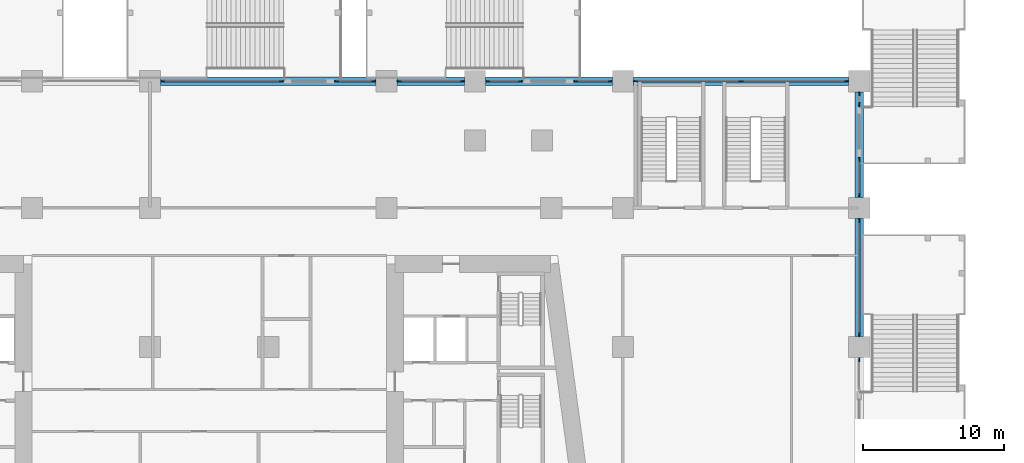
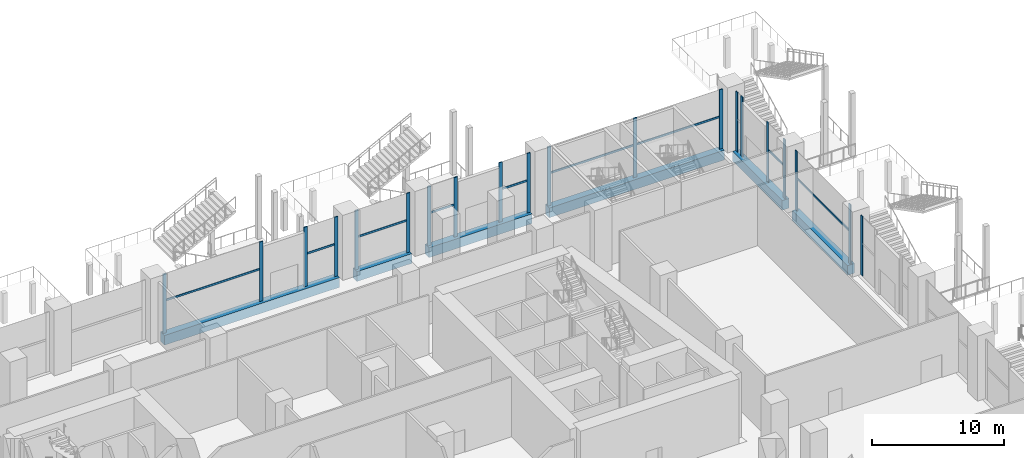
# One storey, part 10 of 47: 29 members, 6 beams, 10 elements without a shape of their own.
"""IFC4 building model written with IfcOpenShell, lengths in metres."""

from ifc_helpers import new_model, si_unit, direction, frame, origin, origin_2d, place, context, subcontext, project, spatial, rectangle, extrude, material, material_profile, profile_set, type_object, element, aggregate, save


model = new_model("IFC4")

# Units and contexts
model_context = context("Model", 3, precision=1e-05, world=origin(), true_north=direction((0.0, 1.0)))
body_context = subcontext(model_context, "Body", "Model", "MODEL_VIEW")
ifc_project = project(units=[si_unit("LENGTHUNIT", "METRE"), si_unit("AREAUNIT", "SQUARE_METRE"), si_unit("VOLUMEUNIT", "CUBIC_METRE"), si_unit("PLANEANGLEUNIT", "RADIAN"), si_unit("MASSUNIT", "GRAM", prefix="KILO")], contexts=[model_context])

# Site, building, storey
site_placement = place(None, origin())
site = spatial("IfcSite", under=ifc_project, at=site_placement, CompositionType="ELEMENT")
building_placement = place(site_placement, origin())
building = spatial("IfcBuilding", under=site, at=building_placement, Name="Candeia Pilgrim Tower and Theatre", CompositionType="ELEMENT")
storey_placement = place(building_placement, frame((0.0, 0.0, 23.0)))
storey = spatial("IfcBuildingStorey", under=building, at=storey_placement, Name="L03", CompositionType="ELEMENT", Elevation=23.0)

# Curtain wall, members
ifc_material_1 = material(Name="Aluminium framed podium glazing", Category="aluminium")
curtain_wall_type = type_object("IfcCurtainWallType", Name="CW-P curtain wall", PredefinedType="NOTDEFINED", material=ifc_material_1)
curtain_wall_1_placement = place(storey_placement, origin())
curtain_wall_1 = element("IfcCurtainWall", 1, at=curtain_wall_1_placement, inside=storey, type_object=curtain_wall_type, Name="Curtain wall CW-P L03.140", PredefinedType="NOTDEFINED")
ifc_material_2 = material(Name="Anodised aluminium", Category="aluminium")
ifc_material_profile_1 = material_profile(ifc_material_2, rectangle(XDim=0.080078125, YDim=0.300048828125, at=origin_2d()))
ifc_profile_set_1 = profile_set([ifc_material_profile_1], Name="Anodised aluminium")
member_type_1 = type_object("IfcMemberType", Name="CW-P mullion 80x300", PredefinedType="MULLION", material=ifc_profile_set_1)
member_1_placement = place(storey_placement, frame((110.10009765625, 144.800048828125, 0.0), z_axis=(0.0, 0.0, 1.0), x_axis=(0.0, 1.0, 0.0)))
member_1 = element("IfcMember", 2, at=member_1_placement, type_object=member_type_1, Name="CW-P mullion 1", PredefinedType="MULLION", context=body_context, shape_type="SweptSolid", body=[
    extrude(rectangle(XDim=0.080078125, YDim=0.300048828125, at=origin_2d()), origin(), (0.0, 0.0, 1.0), 5.5),
])
member_2_placement = place(storey_placement, frame((118.550048828125, 144.800048828125, 0.0), z_axis=(0.0, 0.0, 1.0), x_axis=(0.0, 1.0, 0.0)))
member_2 = element("IfcMember", 3, at=member_2_placement, type_object=member_type_1, Name="CW-P mullion 2", PredefinedType="MULLION", context=body_context, shape_type="SweptSolid", body=[
    extrude(rectangle(XDim=0.080078125, YDim=0.300048828125, at=origin_2d()), origin(), (0.0, 0.0, 1.0), 5.5),
])

curtain_wall_2_placement = place(storey_placement, origin())
curtain_wall_2 = element("IfcCurtainWall", 4, at=curtain_wall_2_placement, inside=storey, type_object=curtain_wall_type, Name="Curtain wall CW-P L03.141", PredefinedType="NOTDEFINED")
member_3_placement = place(storey_placement, frame((122.449951171875, 144.800048828125, 0.0), z_axis=(0.0, 0.0, 1.0), x_axis=(0.0, 1.0, 0.0)))
member_3 = element("IfcMember", 5, at=member_3_placement, type_object=member_type_1, Name="CW-P mullion 1", PredefinedType="MULLION", context=body_context, shape_type="SweptSolid", body=[
    extrude(rectangle(XDim=0.080078125, YDim=0.300048828125, at=origin_2d()), origin(), (0.0, 0.0, 1.0), 5.5),
])
member_4_placement = place(storey_placement, frame((125.10009765625, 144.800048828125, 0.0), z_axis=(0.0, 0.0, 1.0), x_axis=(0.0, 1.0, 0.0)))
member_4 = element("IfcMember", 6, at=member_4_placement, type_object=member_type_1, Name="CW-P mullion 2", PredefinedType="MULLION", context=body_context, shape_type="SweptSolid", body=[
    extrude(rectangle(XDim=0.080078125, YDim=0.300048828125, at=origin_2d()), origin(), (0.0, 0.0, 1.0), 5.5),
])

curtain_wall_3_placement = place(storey_placement, origin())
curtain_wall_3 = element("IfcCurtainWall", 7, at=curtain_wall_3_placement, inside=storey, type_object=curtain_wall_type, Name="Curtain wall CW-P L03.150", PredefinedType="NOTDEFINED")
member_5_placement = place(storey_placement, frame((126.89990234375, 144.800048828125, 0.0), z_axis=(0.0, 0.0, 1.0), x_axis=(0.0, 1.0, 0.0)))
member_5 = element("IfcMember", 8, at=member_5_placement, type_object=member_type_1, Name="CW-P mullion 1", PredefinedType="MULLION", context=body_context, shape_type="SweptSolid", body=[
    extrude(rectangle(XDim=0.080078125, YDim=0.300048828125, at=origin_2d()), origin(), (0.0, 0.0, 1.0), 5.5),
])
member_6_placement = place(storey_placement, frame((131.39990234375, 144.800048828125, 0.0), z_axis=(0.0, 0.0, 1.0), x_axis=(0.0, 1.0, 0.0)))
member_6 = element("IfcMember", 9, at=member_6_placement, type_object=member_type_1, Name="CW-P mullion 2", PredefinedType="MULLION", context=body_context, shape_type="SweptSolid", body=[
    extrude(rectangle(XDim=0.080078125, YDim=0.300048828125, at=origin_2d()), origin(), (0.0, 0.0, 1.0), 5.5),
])

curtain_wall_4_placement = place(storey_placement, origin())
curtain_wall_4 = element("IfcCurtainWall", 10, at=curtain_wall_4_placement, inside=storey, type_object=curtain_wall_type, Name="Curtain wall CW-P L03.160", PredefinedType="NOTDEFINED")
member_7_placement = place(storey_placement, frame((133.199951171875, 144.800048828125, 0.0), z_axis=(0.0, 0.0, 1.0), x_axis=(0.0, 1.0, 0.0)))
member_7 = element("IfcMember", 11, at=member_7_placement, type_object=member_type_1, Name="CW-P mullion 1", PredefinedType="MULLION", context=body_context, shape_type="SweptSolid", body=[
    extrude(rectangle(XDim=0.080078125, YDim=0.300048828125, at=origin_2d()), origin(), (0.0, 0.0, 1.0), 5.5),
])
member_8_placement = place(storey_placement, frame((135.550048828125, 144.800048828125, 0.0), z_axis=(0.0, 0.0, 1.0), x_axis=(0.0, 1.0, 0.0)))
member_8 = element("IfcMember", 12, at=member_8_placement, type_object=member_type_1, Name="CW-P mullion 2", PredefinedType="MULLION", context=body_context, shape_type="SweptSolid", body=[
    extrude(rectangle(XDim=0.080078125, YDim=0.300048828125, at=origin_2d()), origin(), (0.0, 0.0, 1.0), 5.5),
])

curtain_wall_5_placement = place(storey_placement, origin())
curtain_wall_5 = element("IfcCurtainWall", 13, at=curtain_wall_5_placement, inside=storey, type_object=curtain_wall_type, Name="Curtain wall CW-P L03.161", PredefinedType="NOTDEFINED")
member_9_placement = place(storey_placement, frame((139.449951171875, 144.800048828125, 0.0), z_axis=(0.0, 0.0, 1.0), x_axis=(0.0, 1.0, 0.0)))
member_9 = element("IfcMember", 14, at=member_9_placement, type_object=member_type_1, Name="CW-P mullion 1", PredefinedType="MULLION", context=body_context, shape_type="SweptSolid", body=[
    extrude(rectangle(XDim=0.080078125, YDim=0.300048828125, at=origin_2d()), origin(), (0.0, 0.0, 1.0), 5.5),
])
member_10_placement = place(storey_placement, frame((141.89990234375, 144.800048828125, 0.0), z_axis=(0.0, 0.0, 1.0), x_axis=(0.0, 1.0, 0.0)))
member_10 = element("IfcMember", 15, at=member_10_placement, type_object=member_type_1, Name="CW-P mullion 2", PredefinedType="MULLION", context=body_context, shape_type="SweptSolid", body=[
    extrude(rectangle(XDim=0.080078125, YDim=0.300048828125, at=origin_2d()), origin(), (0.0, 0.0, 1.0), 5.5),
])

curtain_wall_6_placement = place(storey_placement, origin())
curtain_wall_6 = element("IfcCurtainWall", 16, at=curtain_wall_6_placement, inside=storey, type_object=curtain_wall_type, Name="Curtain wall CW-P L03.170", PredefinedType="NOTDEFINED")
member_11_placement = place(storey_placement, frame((143.699951171875, 144.800048828125, 0.0), z_axis=(0.0, 0.0, 1.0), x_axis=(0.0, 1.0, 0.0)))
member_11 = element("IfcMember", 17, at=member_11_placement, type_object=member_type_1, Name="CW-P mullion 1", PredefinedType="MULLION", context=body_context, shape_type="SweptSolid", body=[
    extrude(rectangle(XDim=0.080078125, YDim=0.300048828125, at=origin_2d()), origin(), (0.0, 0.0, 1.0), 5.5),
])
member_12_placement = place(storey_placement, frame((151.199951171875, 144.800048828125, 0.0), z_axis=(0.0, 0.0, 1.0), x_axis=(0.0, 1.0, 0.0)))
member_12 = element("IfcMember", 18, at=member_12_placement, type_object=member_type_1, Name="CW-P mullion 2", PredefinedType="MULLION", context=body_context, shape_type="SweptSolid", body=[
    extrude(rectangle(XDim=0.080078125, YDim=0.300048828125, at=origin_2d()), origin(), (0.0, 0.0, 1.0), 5.5),
])
member_13_placement = place(storey_placement, frame((158.699951171875, 144.800048828125, 0.0), z_axis=(0.0, 0.0, 1.0), x_axis=(0.0, 1.0, 0.0)))
member_13 = element("IfcMember", 19, at=member_13_placement, type_object=member_type_1, Name="CW-P mullion 3", PredefinedType="MULLION", context=body_context, shape_type="SweptSolid", body=[
    extrude(rectangle(XDim=0.080078125, YDim=0.300048828125, at=origin_2d()), origin(), (0.0, 0.0, 1.0), 5.5),
])

curtain_wall_7_placement = place(storey_placement, origin())
curtain_wall_7 = element("IfcCurtainWall", 20, at=curtain_wall_7_placement, inside=storey, type_object=curtain_wall_type, Name="Curtain wall CW-P L03.200", PredefinedType="NOTDEFINED")
member_14_placement = place(storey_placement, frame((159.60009765625, 143.89990234375, 0.0), z_axis=(0.0, 0.0, 1.0), x_axis=(1.0, 0.0, 0.0)))
member_14 = element("IfcMember", 21, at=member_14_placement, type_object=member_type_1, Name="CW-P mullion 1", PredefinedType="MULLION", context=body_context, shape_type="SweptSolid", body=[
    extrude(rectangle(XDim=0.080078125, YDim=0.300048828125, at=origin_2d()), origin(), (0.0, 0.0, 1.0), 5.5),
])
member_15_placement = place(storey_placement, frame((159.60009765625, 143.14990234375, 0.0), z_axis=(0.0, 0.0, 1.0), x_axis=(1.0, 0.0, 0.0)))
member_15 = element("IfcMember", 22, at=member_15_placement, type_object=member_type_1, Name="CW-P mullion 2", PredefinedType="MULLION", context=body_context, shape_type="SweptSolid", body=[
    extrude(rectangle(XDim=0.080078125, YDim=0.300048828125, at=origin_2d()), origin(), (0.0, 0.0, 1.0), 5.5),
])
aggregate(curtain_wall_7, [member_14, member_15])

curtain_wall_8_placement = place(storey_placement, origin())
curtain_wall_8 = element("IfcCurtainWall", 23, at=curtain_wall_8_placement, inside=storey, type_object=curtain_wall_type, Name="Curtain wall CW-P L03.201", PredefinedType="NOTDEFINED")
member_16_placement = place(storey_placement, frame((159.60009765625, 139.25, 0.0), z_axis=(0.0, 0.0, 1.0), x_axis=(1.0, 0.0, 0.0)))
member_16 = element("IfcMember", 24, at=member_16_placement, type_object=member_type_1, Name="CW-P mullion 1", PredefinedType="MULLION", context=body_context, shape_type="SweptSolid", body=[
    extrude(rectangle(XDim=0.080078125, YDim=0.300048828125, at=origin_2d()), origin(), (0.0, 0.0, 1.0), 5.5),
])
member_17_placement = place(storey_placement, frame((159.60009765625, 136.699951171875, 0.0), z_axis=(0.0, 0.0, 1.0), x_axis=(1.0, 0.0, 0.0)))
member_17 = element("IfcMember", 25, at=member_17_placement, type_object=member_type_1, Name="CW-P mullion 2", PredefinedType="MULLION", context=body_context, shape_type="SweptSolid", body=[
    extrude(rectangle(XDim=0.080078125, YDim=0.300048828125, at=origin_2d()), origin(), (0.0, 0.0, 1.0), 5.5),
])

curtain_wall_9_placement = place(storey_placement, origin())
curtain_wall_9 = element("IfcCurtainWall", 26, at=curtain_wall_9_placement, inside=storey, type_object=curtain_wall_type, Name="Curtain wall CW-P L03.210", PredefinedType="NOTDEFINED")
member_18_placement = place(storey_placement, frame((159.60009765625, 134.89990234375, 0.0), z_axis=(0.0, 0.0, 1.0), x_axis=(1.0, 0.0, 0.0)))
member_18 = element("IfcMember", 27, at=member_18_placement, type_object=member_type_1, Name="CW-P mullion 1", PredefinedType="MULLION", context=body_context, shape_type="SweptSolid", body=[
    extrude(rectangle(XDim=0.080078125, YDim=0.300048828125, at=origin_2d()), origin(), (0.0, 0.0, 1.0), 5.5),
])
member_19_placement = place(storey_placement, frame((159.60009765625, 126.800048828125, 0.0), z_axis=(0.0, 0.0, 1.0), x_axis=(1.0, 0.0, 0.0)))
member_19 = element("IfcMember", 28, at=member_19_placement, type_object=member_type_1, Name="CW-P mullion 2", PredefinedType="MULLION", context=body_context, shape_type="SweptSolid", body=[
    extrude(rectangle(XDim=0.080078125, YDim=0.300048828125, at=origin_2d()), origin(), (0.0, 0.0, 1.0), 5.5),
])

# Curtain wall, member
curtain_wall_10_placement = place(storey_placement, origin())
curtain_wall_10 = element("IfcCurtainWall", 29, at=curtain_wall_10_placement, inside=storey, type_object=curtain_wall_type, Name="Curtain wall CW-P L03.220", PredefinedType="NOTDEFINED")
member_20_placement = place(storey_placement, frame((159.60009765625, 125.0, 0.0), z_axis=(0.0, 0.0, 1.0), x_axis=(1.0, 0.0, 0.0)))
member_20 = element("IfcMember", 30, at=member_20_placement, type_object=member_type_1, Name="CW-P mullion 1", PredefinedType="MULLION", context=body_context, shape_type="SweptSolid", body=[
    extrude(rectangle(XDim=0.080078125, YDim=0.300048828125, at=origin_2d()), origin(), (0.0, 0.0, 1.0), 5.5),
])
aggregate(curtain_wall_10, [member_20])

# Member
ifc_material_profile_2 = material_profile(ifc_material_2, rectangle(XDim=0.080078125, YDim=0.179931640625, at=origin_2d()))
ifc_profile_set_2 = profile_set([ifc_material_profile_2], Name="Anodised aluminium")
member_type_2 = type_object("IfcMemberType", Name="CW-P transom 80x180", PredefinedType="USERDEFINED", material=ifc_profile_set_2)
member_21_placement = place(storey_placement, frame((110.139892578125, 144.800048828125, 3.0), z_axis=(1.0, 0.0, 0.0), x_axis=(0.0, 1.0, 0.0)))
member_21 = element("IfcMember", 31, at=member_21_placement, type_object=member_type_2, Name="CW-P transom 1.1", ObjectType="TRANSOM", PredefinedType="USERDEFINED", context=body_context, shape_type="SweptSolid", body=[
    extrude(rectangle(XDim=0.080078125, YDim=0.179931640625, at=origin_2d()), origin(), (0.0, 0.0, 1.0), 8.3701171875),
])

aggregate(curtain_wall_1, [member_1, member_2, member_21])

member_22_placement = place(storey_placement, frame((122.489990234375, 144.800048828125, 3.0), z_axis=(1.0, 0.0, 0.0), x_axis=(0.0, 1.0, 0.0)))
member_22 = element("IfcMember", 32, at=member_22_placement, type_object=member_type_2, Name="CW-P transom 1.1", ObjectType="TRANSOM", PredefinedType="USERDEFINED", context=body_context, shape_type="SweptSolid", body=[
    extrude(rectangle(XDim=0.080078125, YDim=0.179931640625, at=origin_2d()), origin(), (0.0, 0.0, 1.0), 2.570068359375),
])

aggregate(curtain_wall_2, [member_3, member_4, member_22])

member_23_placement = place(storey_placement, frame((126.93994140625, 144.800048828125, 3.0), z_axis=(1.0, 0.0, 0.0), x_axis=(0.0, 1.0, 0.0)))
member_23 = element("IfcMember", 33, at=member_23_placement, type_object=member_type_2, Name="CW-P transom 1.1", ObjectType="TRANSOM", PredefinedType="USERDEFINED", context=body_context, shape_type="SweptSolid", body=[
    extrude(rectangle(XDim=0.080078125, YDim=0.179931640625, at=origin_2d()), origin(), (0.0, 0.0, 1.0), 4.420166015625),
])

aggregate(curtain_wall_3, [member_5, member_6, member_23])

member_24_placement = place(storey_placement, frame((133.239990234375, 144.800048828125, 3.0), z_axis=(1.0, 0.0, 0.0), x_axis=(0.0, 1.0, 0.0)))
member_24 = element("IfcMember", 34, at=member_24_placement, type_object=member_type_2, Name="CW-P transom 1.1", ObjectType="TRANSOM", PredefinedType="USERDEFINED", context=body_context, shape_type="SweptSolid", body=[
    extrude(rectangle(XDim=0.080078125, YDim=0.179931640625, at=origin_2d()), origin(), (0.0, 0.0, 1.0), 2.27001953125),
])

aggregate(curtain_wall_4, [member_7, member_8, member_24])

member_25_placement = place(storey_placement, frame((139.489990234375, 144.800048828125, 3.0), z_axis=(1.0, 0.0, 0.0), x_axis=(0.0, 1.0, 0.0)))
member_25 = element("IfcMember", 35, at=member_25_placement, type_object=member_type_2, Name="CW-P transom 1.1", ObjectType="TRANSOM", PredefinedType="USERDEFINED", context=body_context, shape_type="SweptSolid", body=[
    extrude(rectangle(XDim=0.080078125, YDim=0.179931640625, at=origin_2d()), origin(), (0.0, 0.0, 1.0), 2.3701171875),
])

aggregate(curtain_wall_5, [member_9, member_10, member_25])

member_26_placement = place(storey_placement, frame((143.739990234375, 144.800048828125, 3.0), z_axis=(1.0, 0.0, 0.0), x_axis=(0.0, 1.0, 0.0)))
member_26 = element("IfcMember", 36, at=member_26_placement, type_object=member_type_2, Name="CW-P transom 1.1", ObjectType="TRANSOM", PredefinedType="USERDEFINED", context=body_context, shape_type="SweptSolid", body=[
    extrude(rectangle(XDim=0.080078125, YDim=0.179931640625, at=origin_2d()), origin(), (0.0, 0.0, 1.0), 7.419921875),
])

member_27_placement = place(storey_placement, frame((151.239990234375, 144.800048828125, 3.0), z_axis=(1.0, 0.0, 0.0), x_axis=(0.0, 1.0, 0.0)))
member_27 = element("IfcMember", 37, at=member_27_placement, type_object=member_type_2, Name="CW-P transom 2.1", ObjectType="TRANSOM", PredefinedType="USERDEFINED", context=body_context, shape_type="SweptSolid", body=[
    extrude(rectangle(XDim=0.080078125, YDim=0.179931640625, at=origin_2d()), origin(), (0.0, 0.0, 1.0), 7.419921875),
])

aggregate(curtain_wall_6, [member_11, member_12, member_13, member_26, member_27])

member_28_placement = place(storey_placement, frame((159.60009765625, 139.2099609375, 3.0), z_axis=(0.0, -1.0, 0.0), x_axis=(1.0, 0.0, 0.0)))
member_28 = element("IfcMember", 38, at=member_28_placement, type_object=member_type_2, Name="CW-P transom 1.1", ObjectType="TRANSOM", PredefinedType="USERDEFINED", context=body_context, shape_type="SweptSolid", body=[
    extrude(rectangle(XDim=0.080078125, YDim=0.179931640625, at=origin_2d()), origin(), (0.0, 0.0, 1.0), 2.469970703125),
])

aggregate(curtain_wall_8, [member_16, member_17, member_28])

member_29_placement = place(storey_placement, frame((159.60009765625, 134.860107421875, 3.0), z_axis=(0.0, -1.0, 0.0), x_axis=(1.0, 0.0, 0.0)))
member_29 = element("IfcMember", 39, at=member_29_placement, type_object=member_type_2, Name="CW-P transom 1.1", ObjectType="TRANSOM", PredefinedType="USERDEFINED", context=body_context, shape_type="SweptSolid", body=[
    extrude(rectangle(XDim=0.080078125, YDim=0.179931640625, at=origin_2d()), origin(), (0.0, 0.0, 1.0), 8.02001953125),
])

aggregate(curtain_wall_9, [member_18, member_19, member_29])

# Beams
ifc_material_3 = material(Name="Concrete C80/95", Category="concrete")
ifc_material_profile_3 = material_profile(ifc_material_3, rectangle(XDim=0.60009765625, YDim=0.89990234375, at=origin_2d()))
ifc_profile_set_3 = profile_set([ifc_material_profile_3], Name="Concrete C80/95")
beam_type = type_object("IfcBeamType", Name="RC 600x900 C80/95", PredefinedType="BEAM", material=ifc_profile_set_3)
beam_1_placement = place(storey_placement, frame((159.60009765625, 126.64990234375, -0.449951171875), z_axis=(0.0, 1.0, 0.0), x_axis=(-1.0, 0.0, 0.0)))
element("IfcBeam", 40, at=beam_1_placement, inside=storey, type_object=beam_type, Name="Spandrel beam L03-05", PredefinedType="BEAM", context=body_context, shape_type="SweptSolid", body=[
    extrude(rectangle(XDim=0.60009765625, YDim=0.89990234375, at=origin_2d()), origin(), (0.0, 0.0, 1.0), 8.400146484375),
])
beam_2_placement = place(storey_placement, frame((159.60009765625, 136.550048828125, -0.449951171875), z_axis=(0.0, 1.0, 0.0), x_axis=(-1.0, 0.0, 0.0)))
element("IfcBeam", 41, at=beam_2_placement, inside=storey, type_object=beam_type, Name="Spandrel beam L03-06", PredefinedType="BEAM", context=body_context, shape_type="SweptSolid", body=[
    extrude(rectangle(XDim=0.60009765625, YDim=0.89990234375, at=origin_2d()), origin(), (0.0, 0.0, 1.0), 7.5),
])
beam_3_placement = place(storey_placement, frame((158.85009765625, 144.800048828125, -0.449951171875), z_axis=(-1.0, 0.0, 0.0), x_axis=(0.0, -1.0, 0.0)))
element("IfcBeam", 42, at=beam_3_placement, inside=storey, type_object=beam_type, Name="Spandrel beam L03-07", PredefinedType="BEAM", context=body_context, shape_type="SweptSolid", body=[
    extrude(rectangle(XDim=0.60009765625, YDim=0.89990234375, at=origin_2d()), origin(), (0.0, 0.0, 1.0), 15.300048828125),
])
beam_4_placement = place(storey_placement, frame((142.050048828125, 144.800048828125, -0.449951171875), z_axis=(-1.0, 0.0, 0.0), x_axis=(0.0, -1.0, 0.0)))
element("IfcBeam", 43, at=beam_4_placement, inside=storey, type_object=beam_type, Name="Spandrel beam L03-08", PredefinedType="BEAM", context=body_context, shape_type="SweptSolid", body=[
    extrude(rectangle(XDim=0.60009765625, YDim=0.89990234375, at=origin_2d()), origin(), (0.0, 0.0, 1.0), 9.0),
])
beam_5_placement = place(storey_placement, frame((131.550048828125, 144.800048828125, -0.449951171875), z_axis=(-1.0, 0.0, 0.0), x_axis=(0.0, -1.0, 0.0)))
element("IfcBeam", 44, at=beam_5_placement, inside=storey, type_object=beam_type, Name="Spandrel beam L03-09", PredefinedType="BEAM", context=body_context, shape_type="SweptSolid", body=[
    extrude(rectangle(XDim=0.60009765625, YDim=0.89990234375, at=origin_2d()), origin(), (0.0, 0.0, 1.0), 4.800048828125),
])
beam_6_placement = place(storey_placement, frame((125.25, 144.800048828125, -0.449951171875), z_axis=(-1.0, 0.0, 0.0), x_axis=(0.0, -1.0, 0.0)))
element("IfcBeam", 45, at=beam_6_placement, inside=storey, type_object=beam_type, Name="Spandrel beam L03-10", PredefinedType="BEAM", context=body_context, shape_type="SweptSolid", body=[
    extrude(rectangle(XDim=0.60009765625, YDim=0.89990234375, at=origin_2d()), origin(), (0.0, 0.0, 1.0), 15.300048828125),
])

save(model, "model.ifc")
